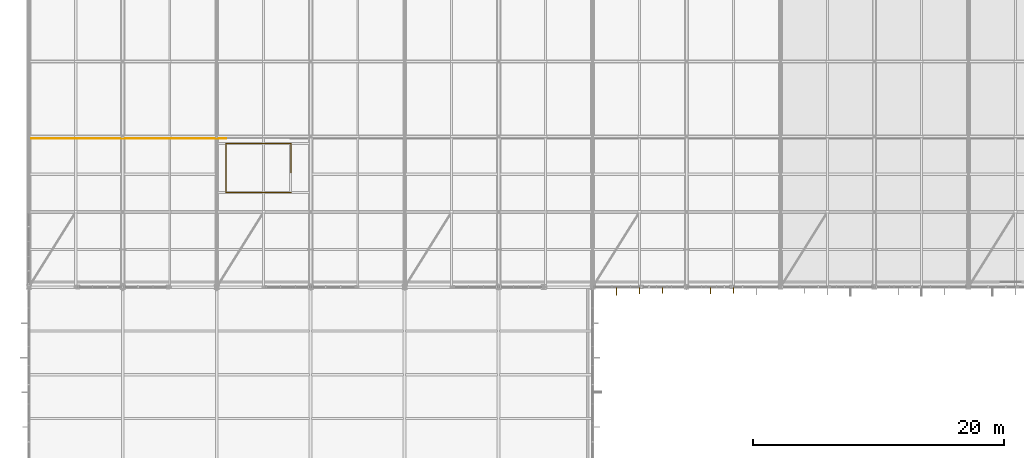
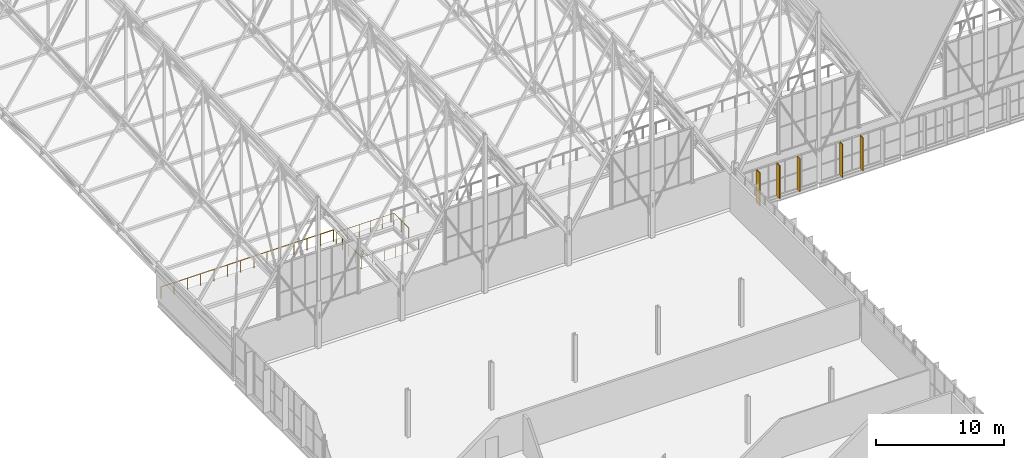
# One storey, part 318 of 324: 5 coverings, 2 railings.
"""IFC4 building model written with IfcOpenShell, lengths in metres."""

from ifc_helpers import new_model, si_unit, direction, frame, origin, origin_2d, place, context, subcontext, project, spatial, rectangle, circle, extrude, material, layer, layer_set, type_object, element, save


model = new_model("IFC4")

# Units and contexts
model_context = context("Model", 3, precision=1e-05, world=origin(), true_north=direction((0.0, 1.0)))
body_context = subcontext(model_context, "Body", "Model", "MODEL_VIEW")
ifc_project = project(units=[si_unit("LENGTHUNIT", "METRE"), si_unit("AREAUNIT", "SQUARE_METRE"), si_unit("VOLUMEUNIT", "CUBIC_METRE"), si_unit("PLANEANGLEUNIT", "RADIAN"), si_unit("MASSUNIT", "GRAM", prefix="KILO")], contexts=[model_context])

# Site, building, storey
site_placement = place(None, origin())
site = spatial("IfcSite", under=ifc_project, at=site_placement, CompositionType="ELEMENT")
building_placement = place(site_placement, origin())
building = spatial("IfcBuilding", under=site, at=building_placement, Name="Solvenia Promenade Tram Depot", CompositionType="ELEMENT")
storey_placement = place(building_placement, frame((0.0, 0.0, 4.5)))
storey = spatial("IfcBuildingStorey", under=building, at=storey_placement, Name="L01", CompositionType="ELEMENT", Elevation=4.5)

# Coverings
ifc_material = material(Name="Anodized aluminium AW-6063 T6", Category="aluminium")
ifc_layer = layer(ifc_material, 0.06005859375, Name="Anodized aluminium AW-6063 T6", Category="aluminium")
ifc_layer_set = layer_set([ifc_layer], Name="Anodized aluminium AW-6063 T6")
covering_type = type_object("IfcCoveringType", Name="Fin-Param-560", PredefinedType="CLADDING", material=ifc_layer_set)
covering_1_placement = place(storey_placement, frame((46.9150390625, 65.635986328125, 0.0), z_axis=(0.0, 0.0, 1.0), x_axis=(1.0, 0.0, 0.0)))
element("IfcCovering", 1, at=covering_1_placement, inside=storey, type_object=covering_type, Name="Parametric Vertical Brise-Soleil Fin 101", PredefinedType="CLADDING", context=body_context, shape_type="SweptSolid", body=[
    extrude(rectangle(XDim=0.06005859375, YDim=0.597900390625, at=origin_2d()), origin(), (0.0, 0.0, 1.0), 3.14990234375),
])
covering_2_placement = place(storey_placement, frame((48.75, 65.7041015625, 0.0), z_axis=(0.0, 0.0, 1.0), x_axis=(1.0, 0.0, 0.0)))
element("IfcCovering", 2, at=covering_2_placement, inside=storey, type_object=covering_type, Name="Parametric Vertical Brise-Soleil Fin 102", PredefinedType="CLADDING", context=body_context, shape_type="SweptSolid", body=[
    extrude(rectangle(XDim=0.06005859375, YDim=0.4619140625, at=origin_2d()), origin(), (0.0, 0.0, 1.0), 3.14990234375),
])
covering_3_placement = place(storey_placement, frame((50.5849609375, 65.719970703125, 0.0), z_axis=(0.0, 0.0, 1.0), x_axis=(1.0, 0.0, 0.0)))
element("IfcCovering", 3, at=covering_3_placement, inside=storey, type_object=covering_type, Name="Parametric Vertical Brise-Soleil Fin 103", PredefinedType="CLADDING", context=body_context, shape_type="SweptSolid", body=[
    extrude(rectangle(XDim=0.06005859375, YDim=0.429931640625, at=origin_2d()), origin(), (0.0, 0.0, 1.0), 3.14990234375),
])
covering_4_placement = place(storey_placement, frame((54.4150390625, 65.70458984375, 0.0), z_axis=(0.0, 0.0, 1.0), x_axis=(1.0, 0.0, 0.0)))
element("IfcCovering", 4, at=covering_4_placement, inside=storey, type_object=covering_type, Name="Parametric Vertical Brise-Soleil Fin 107", PredefinedType="CLADDING", context=body_context, shape_type="SweptSolid", body=[
    extrude(rectangle(XDim=0.06005859375, YDim=0.4609375, at=origin_2d()), origin(), (0.0, 0.0, 1.0), 3.14990234375),
])
covering_5_placement = place(storey_placement, frame((56.25, 65.719482421875, 0.0), z_axis=(0.0, 0.0, 1.0), x_axis=(1.0, 0.0, 0.0)))
element("IfcCovering", 5, at=covering_5_placement, inside=storey, type_object=covering_type, Name="Parametric Vertical Brise-Soleil Fin 108", PredefinedType="CLADDING", context=body_context, shape_type="SweptSolid", body=[
    extrude(rectangle(XDim=0.06005859375, YDim=0.430908203125, at=origin_2d()), origin(), (0.0, 0.0, 1.0), 3.14990234375),
])

# Railings
railing_type_1 = type_object("IfcRailingType", Name="Guard-Stair-1100", PredefinedType="GUARDRAIL", material=ifc_material)
railing_1_placement = place(storey_placement, frame((20.93994140625, 75.14990234375, 0.0)))
element("IfcRailing", 6, at=railing_1_placement, inside=storey, type_object=railing_type_1, Name="Gallery Stairwell Guard ST-GAL-01", PredefinedType="GUARDRAIL", context=body_context, shape_type="SweptSolid", body=[
    extrude(circle(Radius=0.02392578125, at=origin_2d()), frame((0.0, 0.0, 1.09619140625), z_axis=(0.0, 1.0, 0.0), x_axis=(-1.0, 0.0, 0.0)), (0.0, 0.0, 1.0), 2.300048828125),
    extrude(circle(Radius=0.02392578125, at=origin_2d()), frame((0.0, 2.300048828125, 1.09619140625), z_axis=(-1.0, 0.0, 0.0), x_axis=(0.0, -1.0, 0.0)), (0.0, 0.0, 1.0), 5.18994140625),
    extrude(circle(Radius=0.02392578125, at=origin_2d()), frame((-5.18994140625, 2.300048828125, 1.09619140625), z_axis=(0.0, -1.0, 0.0), x_axis=(1.0, 0.0, 0.0)), (0.0, 0.0, 1.0), 3.89990234375),
    extrude(circle(Radius=0.02392578125, at=origin_2d()), frame((-5.18994140625, -1.599853515625, 1.09619140625), z_axis=(1.0, 0.0, 0.0), x_axis=(0.0, 1.0, 0.0)), (0.0, 0.0, 1.0), 5.18994140625),
    extrude(circle(Radius=0.02099609375, at=origin_2d()), origin(), (0.0, 0.0, 1.0), 1.072021484375),
    extrude(circle(Radius=0.02099609375, at=origin_2d()), frame((0.0, 1.14990234375, 0.0)), (0.0, 0.0, 1.0), 1.072021484375),
    extrude(circle(Radius=0.02099609375, at=origin_2d()), frame((0.0, 2.300048828125, 0.0)), (0.0, 0.0, 1.0), 1.072021484375),
    extrude(circle(Radius=0.02099609375, at=origin_2d()), frame((-1.0380859375, 2.300048828125, 0.0)), (0.0, 0.0, 1.0), 1.072021484375),
    extrude(circle(Radius=0.02099609375, at=origin_2d()), frame((-2.075927734375, 2.300048828125, 0.0)), (0.0, 0.0, 1.0), 1.072021484375),
    extrude(circle(Radius=0.02099609375, at=origin_2d()), frame((-3.114013671875, 2.300048828125, 0.0)), (0.0, 0.0, 1.0), 1.072021484375),
    extrude(circle(Radius=0.02099609375, at=origin_2d()), frame((-4.15185546875, 2.300048828125, 0.0)), (0.0, 0.0, 1.0), 1.072021484375),
    extrude(circle(Radius=0.02099609375, at=origin_2d()), frame((-5.18994140625, 2.300048828125, 0.0)), (0.0, 0.0, 1.0), 1.072021484375),
    extrude(circle(Radius=0.02099609375, at=origin_2d()), frame((-5.18994140625, 1.3251953125, 0.0)), (0.0, 0.0, 1.0), 1.072021484375),
    extrude(circle(Radius=0.02099609375, at=origin_2d()), frame((-5.18994140625, 0.35009765625, 0.0)), (0.0, 0.0, 1.0), 1.072021484375),
    extrude(circle(Radius=0.02099609375, at=origin_2d()), frame((-5.18994140625, -0.625, 0.0)), (0.0, 0.0, 1.0), 1.072021484375),
    extrude(circle(Radius=0.02099609375, at=origin_2d()), frame((-5.18994140625, -1.599853515625, 0.0)), (0.0, 0.0, 1.0), 1.072021484375),
    extrude(circle(Radius=0.02099609375, at=origin_2d()), frame((-4.15185546875, -1.599853515625, 0.0)), (0.0, 0.0, 1.0), 1.072021484375),
    extrude(circle(Radius=0.02099609375, at=origin_2d()), frame((-3.114013671875, -1.599853515625, 0.0)), (0.0, 0.0, 1.0), 1.072021484375),
    extrude(circle(Radius=0.02099609375, at=origin_2d()), frame((-2.075927734375, -1.599853515625, 0.0)), (0.0, 0.0, 1.0), 1.072021484375),
    extrude(circle(Radius=0.02099609375, at=origin_2d()), frame((-1.0380859375, -1.599853515625, 0.0)), (0.0, 0.0, 1.0), 1.072021484375),
    extrude(circle(Radius=0.02099609375, at=origin_2d()), frame((0.0, -1.599853515625, 0.0)), (0.0, 0.0, 1.0), 1.072021484375),
])
railing_type_2 = type_object("IfcRailingType", Name="Guard-Terrace-1100", PredefinedType="GUARDRAIL", material=ifc_material)
railing_2_placement = place(storey_placement, frame((0.199951171875, 77.85009765625, 0.0)))
element("IfcRailing", 7, at=railing_2_placement, inside=storey, type_object=railing_type_2, Name="Safety Guardrail GR-WALK-V1-W", PredefinedType="GUARDRAIL", context=body_context, shape_type="SweptSolid", body=[
    extrude(circle(Radius=0.02392578125, at=origin_2d()), frame((0.0, 0.0, 1.09619140625), z_axis=(1.0, 0.0, 0.0), x_axis=(0.0, 1.0, 0.0)), (0.0, 0.0, 1.0), 15.550048828125),
    extrude(circle(Radius=0.02099609375, at=origin_2d()), origin(), (0.0, 0.0, 1.0), 1.072021484375),
    extrude(circle(Radius=0.02099609375, at=origin_2d()), frame((1.196044921875, 0.0, 0.0)), (0.0, 0.0, 1.0), 1.072021484375),
    extrude(circle(Radius=0.02099609375, at=origin_2d()), frame((2.392333984375, 0.0, 0.0)), (0.0, 0.0, 1.0), 1.072021484375),
    extrude(circle(Radius=0.02099609375, at=origin_2d()), frame((3.58837890625, 0.0, 0.0)), (0.0, 0.0, 1.0), 1.072021484375),
    extrude(circle(Radius=0.02099609375, at=origin_2d()), frame((4.78466796875, 0.0, 0.0)), (0.0, 0.0, 1.0), 1.072021484375),
    extrude(circle(Radius=0.02099609375, at=origin_2d()), frame((5.980712890625, 0.0, 0.0)), (0.0, 0.0, 1.0), 1.072021484375),
    extrude(circle(Radius=0.02099609375, at=origin_2d()), frame((7.177001953125, 0.0, 0.0)), (0.0, 0.0, 1.0), 1.072021484375),
    extrude(circle(Radius=0.02099609375, at=origin_2d()), frame((8.373046875, 0.0, 0.0)), (0.0, 0.0, 1.0), 1.072021484375),
    extrude(circle(Radius=0.02099609375, at=origin_2d()), frame((9.5693359375, 0.0, 0.0)), (0.0, 0.0, 1.0), 1.072021484375),
    extrude(circle(Radius=0.02099609375, at=origin_2d()), frame((10.765380859375, 0.0, 0.0)), (0.0, 0.0, 1.0), 1.072021484375),
    extrude(circle(Radius=0.02099609375, at=origin_2d()), frame((11.961669921875, 0.0, 0.0)), (0.0, 0.0, 1.0), 1.072021484375),
    extrude(circle(Radius=0.02099609375, at=origin_2d()), frame((13.15771484375, 0.0, 0.0)), (0.0, 0.0, 1.0), 1.072021484375),
    extrude(circle(Radius=0.02099609375, at=origin_2d()), frame((14.35400390625, 0.0, 0.0)), (0.0, 0.0, 1.0), 1.072021484375),
    extrude(circle(Radius=0.02099609375, at=origin_2d()), frame((15.550048828125, 0.0, 0.0)), (0.0, 0.0, 1.0), 1.072021484375),
])

save(model, "model.ifc")
